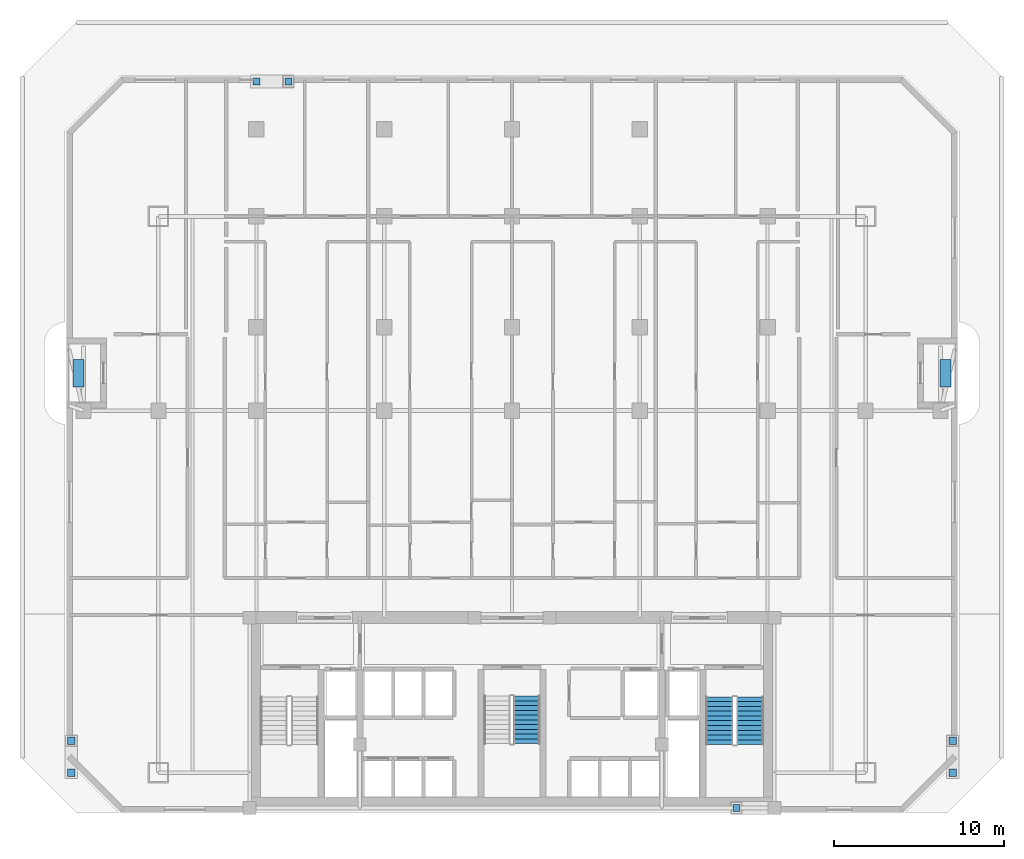
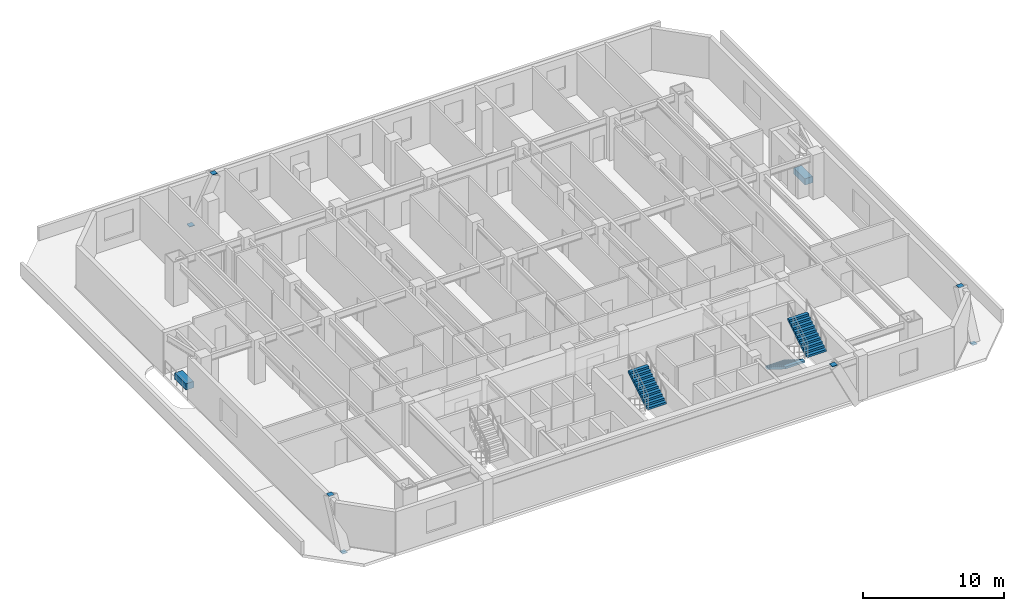
# One storey, part 8 of 10: 9 discrete accessories, 3 stair flights, 2 elements without a shape of their own.
"""IFC4 building model written with IfcOpenShell, lengths in metres."""

from ifc_helpers import new_model, si_unit, direction, frame, origin, origin_2d, place, context, subcontext, project, spatial, polyline, rectangle, outline, extrude, material, type_object, element, aggregate, save


model = new_model("IFC4")

# Units and contexts
model_context = context("Model", 3, precision=1e-05, world=origin(), true_north=direction((0.0, 1.0)))
body_context = subcontext(model_context, "Body", "Model", "MODEL_VIEW")
ifc_project = project(units=[si_unit("LENGTHUNIT", "METRE"), si_unit("AREAUNIT", "SQUARE_METRE"), si_unit("VOLUMEUNIT", "CUBIC_METRE"), si_unit("PLANEANGLEUNIT", "RADIAN"), si_unit("MASSUNIT", "GRAM", prefix="KILO")], contexts=[model_context])

# Site, building, storey
site_placement = place(None, origin())
site = spatial("IfcSite", under=ifc_project, at=site_placement, CompositionType="ELEMENT")
building_placement = place(site_placement, origin())
building = spatial("IfcBuilding", under=site, at=building_placement, Name="Ventersveld Concourse Tower", CompositionType="ELEMENT")
storey_placement = place(building_placement, frame((0.0, 0.0, 92.60009765625)))
storey = spatial("IfcBuildingStorey", under=building, at=storey_placement, Name="L22", CompositionType="ELEMENT", Elevation=92.60009765625)

# Stair, stair flight
ifc_material_1 = material(Name="Concrete C50/60", Category="concrete")
stair_type_1 = type_object("IfcStairType", Name="ST-DOG-155", PredefinedType="HALF_TURN_STAIR", material=ifc_material_1)
stair_1_placement = place(storey_placement, origin())
stair_1 = element("IfcStair", 1, at=stair_1_placement, inside=storey, type_object=stair_type_1, Name="L22 Protected Central Core Escape Stair ST-03", PredefinedType="HALF_TURN_STAIR")
stair_flight_type_1 = type_object("IfcStairFlightType", Name="STF-RC-155", PredefinedType="STRAIGHT", material=ifc_material_1)
stair_flight_1_placement = place(storey_placement, frame((29.625, 4.050048828125, 1.9248046875), z_axis=(0.0, 0.0, 1.0), x_axis=(0.0, 1.0, 0.0)))
stair_flight_1 = element("IfcStairFlight", 2, at=stair_flight_1_placement, type_object=stair_flight_type_1, Name="ST-03 flight 2", NumberOfRisers=11, NumberOfTreads=10, PredefinedType="STRAIGHT", RiserHeight=0.175, TreadLength=0.28, context=body_context, shape_type="SweptSolid", body=[
    extrude(outline(polyline([(0.0, 0.0), (0.0, 0.175048828125), (0.280029296875, 0.175048828125), (0.280029296875, 0.35009765625), (0.56005859375, 0.35009765625), (0.56005859375, 0.52490234375), (0.840087890625, 0.52490234375), (0.840087890625, 0.699951171875), (1.1201171875, 0.699951171875), (1.1201171875, 0.875), (1.39990234375, 0.875), (1.39990234375, 1.050048828125), (1.679931640625, 1.050048828125), (1.679931640625, 1.22509765625), (1.9599609375, 1.22509765625), (1.9599609375, 1.39990234375), (2.239990234375, 1.39990234375), (2.239990234375, 1.574951171875), (2.52001953125, 1.574951171875), (2.52001953125, 1.75), (2.800048828125, 1.75), (2.800048828125, 1.925048828125), (2.800048828125, 1.5732421875), (0.28271484375, 0.0), (0.0, 0.0)])), frame((0.0, 0.77490234375, 0.0), z_axis=(0.0, -1.0, 0.0), x_axis=(1.0, 0.0, 0.0)), (0.0, 0.0, 1.0), 1.550048828125),
])
aggregate(stair_1, [stair_flight_1])

# Stair, stair flights
stair_type_2 = type_object("IfcStairType", Name="ST-DOG-160", PredefinedType="HALF_TURN_STAIR", material=ifc_material_1)
stair_2_placement = place(storey_placement, origin())
stair_2 = element("IfcStair", 3, at=stair_2_placement, inside=storey, type_object=stair_type_2, Name="L22 Protected Tower Escape Stair ST-02", PredefinedType="HALF_TURN_STAIR")
stair_flight_type_2 = type_object("IfcStairFlightType", Name="STF-RC-160", PredefinedType="STRAIGHT", material=ifc_material_1)
stair_flight_2_placement = place(storey_placement, frame((40.919921875, 6.800048828125, 0.0), z_axis=(0.0, 0.0, 1.0), x_axis=(0.0, -1.0, 0.0)))
stair_flight_2 = element("IfcStairFlight", 4, at=stair_flight_2_placement, type_object=stair_flight_type_2, Name="ST-02 flight 1", NumberOfRisers=11, NumberOfTreads=10, PredefinedType="STRAIGHT", RiserHeight=0.175, TreadLength=0.28, context=body_context, shape_type="SweptSolid", body=[
    extrude(outline(polyline([(0.0, 0.0), (0.0, 0.175048828125), (0.280029296875, 0.175048828125), (0.280029296875, 0.35009765625), (0.56005859375, 0.35009765625), (0.56005859375, 0.52490234375), (0.840087890625, 0.52490234375), (0.840087890625, 0.699951171875), (1.1201171875, 0.699951171875), (1.1201171875, 0.875), (1.39990234375, 0.875), (1.39990234375, 1.050048828125), (1.679931640625, 1.050048828125), (1.679931640625, 1.22509765625), (1.9599609375, 1.22509765625), (1.9599609375, 1.39990234375), (2.239990234375, 1.39990234375), (2.239990234375, 1.574951171875), (2.52001953125, 1.574951171875), (2.52001953125, 1.75), (2.800048828125, 1.75), (2.800048828125, 1.925048828125), (2.800048828125, 1.5732421875), (0.28271484375, 0.0), (0.0, 0.0)])), frame((0.0, 0.800048828125, 0.0), z_axis=(0.0, -1.0, 0.0), x_axis=(1.0, 0.0, 0.0)), (0.0, 0.0, 1.0), 1.60009765625),
])
stair_flight_3_placement = place(storey_placement, frame((42.719970703125, 4.0, 1.9248046875), z_axis=(0.0, 0.0, 1.0), x_axis=(0.0, 1.0, 0.0)))
stair_flight_3 = element("IfcStairFlight", 5, at=stair_flight_3_placement, type_object=stair_flight_type_2, Name="ST-02 flight 2", NumberOfRisers=11, NumberOfTreads=10, PredefinedType="STRAIGHT", RiserHeight=0.175, TreadLength=0.28, context=body_context, shape_type="SweptSolid", body=[
    extrude(outline(polyline([(0.0, 0.0), (0.0, 0.175048828125), (0.280029296875, 0.175048828125), (0.280029296875, 0.35009765625), (0.56005859375, 0.35009765625), (0.56005859375, 0.52490234375), (0.840087890625, 0.52490234375), (0.840087890625, 0.699951171875), (1.1201171875, 0.699951171875), (1.1201171875, 0.875), (1.39990234375, 0.875), (1.39990234375, 1.050048828125), (1.679931640625, 1.050048828125), (1.679931640625, 1.22509765625), (1.9599609375, 1.22509765625), (1.9599609375, 1.39990234375), (2.239990234375, 1.39990234375), (2.239990234375, 1.574951171875), (2.52001953125, 1.574951171875), (2.52001953125, 1.75), (2.800048828125, 1.75), (2.800048828125, 1.925048828125), (2.800048828125, 1.5732421875), (0.28271484375, 0.0), (0.0, 0.0)])), frame((0.0, 0.800048828125, 0.0), z_axis=(0.0, -1.0, 0.0), x_axis=(1.0, 0.0, 0.0)), (0.0, 0.0, 1.0), 1.60009765625),
])
aggregate(stair_2, [stair_flight_2, stair_flight_3])

# Discrete accessories
ifc_material_2 = material(Name="Structural steel S355J2", Category="steel")
discrete_accessory_type_1 = type_object("IfcDiscreteAccessoryType", Name="CONN-BRACE-ECP1", PredefinedType="BRACKET", material=ifc_material_2)
for number, where, z_axis, x_axis, name in (
    (6, (13.75, 42.919921875, -0.27001953125), (0.0, 0.0, 1.0), (1.0, 0.0, 0.0), "L22 Steel Brace End Connection Plate ECP1-0265"),
    (7, (15.625, 42.919921875, 3.579833984375), (0.0, 0.0, 1.0), (1.0, 0.0, 0.0), "L22 Steel Brace End Connection Plate ECP1-0266"),
    (8, (41.925048828125, 0.280029296875, 3.579833984375), (0.0, 0.0, 1.0), (1.0, 0.0, 0.0), "L22 Steel Brace End Connection Plate ECP1-0270"),
    (9, (2.8798828125, 2.35009765625, -0.27001953125), (0.0, 0.0, 1.0), (1.0, 0.0, 0.0), "L22 Steel Brace End Connection Plate ECP1-0274"),
    (10, (2.8798828125, 4.22509765625, 3.579833984375), (0.0, 0.0, 1.0), (1.0, 0.0, 0.0), "L22 Steel Brace End Connection Plate ECP1-0275"),
    (11, (54.6201171875, 2.35009765625, -0.27001953125), (0.0, 0.0, 1.0), (1.0, 0.0, 0.0), "L22 Steel Brace End Connection Plate ECP1-0279"),
    (12, (54.6201171875, 4.22509765625, 3.579833984375), (0.0, 0.0, 1.0), (1.0, 0.0, 0.0), "L22 Steel Brace End Connection Plate ECP1-0280"),
):
    element("IfcDiscreteAccessory", number, at=place(storey_placement, frame(where, z_axis=z_axis, x_axis=x_axis)), inside=storey, type_object=discrete_accessory_type_1, Name=name, PredefinedType="BRACKET", context=body_context, shape_type="SweptSolid", body=[
        extrude(rectangle(XDim=0.419921875, YDim=0.419921875, at=origin_2d()), origin(), (0.0, 0.0, 1.0), 0.0400390625),
    ])
ifc_material_3 = material(Name="Precast concrete C45/55", Category="concrete")
discrete_accessory_type_2 = type_object("IfcDiscreteAccessoryType", Name="PLN-TERR-180", PredefinedType="USERDEFINED", material=ifc_material_3)
for number, where, z_axis, x_axis, name in (
    (13, (3.320068359375, 25.800048828125, 0.0), (0.0, 0.0, 1.0), (0.0, 1.0, 0.0), "L22 Planted Precast Terrace Planter Box NOTCH-W"),
    (14, (54.179931640625, 25.800048828125, 0.0), (0.0, 0.0, 1.0), (0.0, 1.0, 0.0), "L22 Planted Precast Terrace Planter Box NOTCH-E"),
):
    element("IfcDiscreteAccessory", number, at=place(storey_placement, frame(where, z_axis=z_axis, x_axis=x_axis)), inside=storey, type_object=discrete_accessory_type_2, Name=name, ObjectType="PLANTER", PredefinedType="USERDEFINED", context=body_context, shape_type="SweptSolid", body=[
        extrude(rectangle(XDim=1.60009765625, YDim=0.64990234375, at=origin_2d()), origin(), (0.0, 0.0, 1.0), 0.550048828125),
    ])

save(model, "model.ifc")
